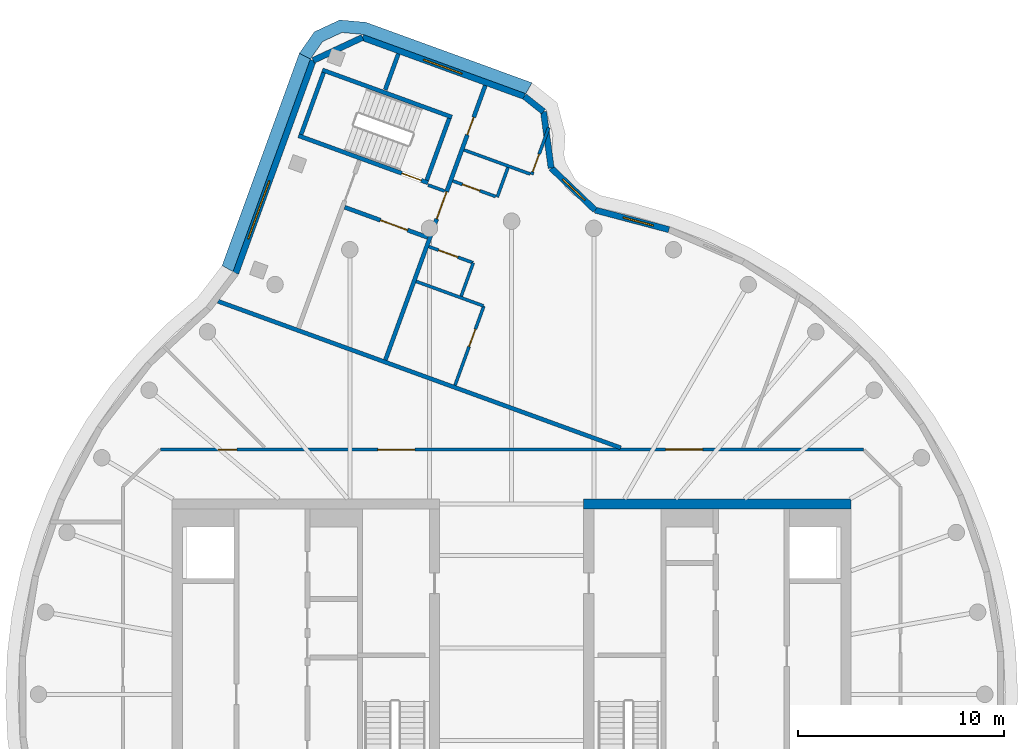
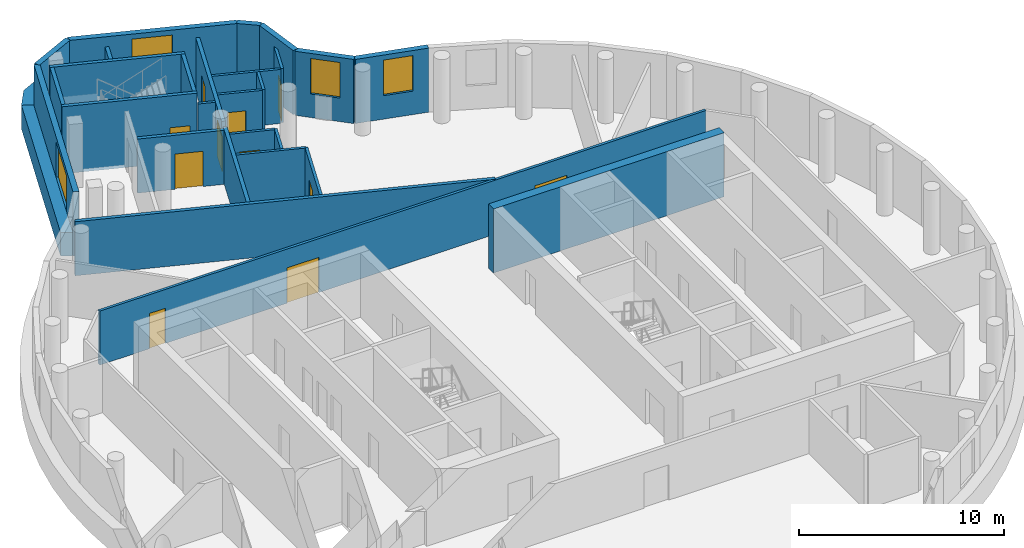
# One storey, part 5 of 7: 27 walls, 11 doors, 4 windows, 2 members, 15 openings.
"""IFC4 building model written with IfcOpenShell, lengths in metres."""

from ifc_helpers import new_model, si_unit, direction, frame, frame_2d, origin, place, context, subcontext, project, spatial, polyline, rectangle, outline, extrude, material, layer, layer_set, type_object, element, fill, aggregate, save


model = new_model("IFC4")

# Units and contexts
model_context = context("Model", 3, precision=1e-05, world=origin(), true_north=direction((0.0, 1.0)))
body_context = subcontext(model_context, "Body", "Model", "MODEL_VIEW")
ifc_project = project(units=[si_unit("LENGTHUNIT", "METRE"), si_unit("AREAUNIT", "SQUARE_METRE"), si_unit("VOLUMEUNIT", "CUBIC_METRE"), si_unit("PLANEANGLEUNIT", "RADIAN"), si_unit("MASSUNIT", "GRAM", prefix="KILO")], contexts=[model_context])

# Member
ifc_material_1 = material(Name="Aluminium and insulated spandrel panel", Category="aluminium")
member_type = type_object("IfcMemberType", Name="Floor-edge blade transom", PredefinedType="USERDEFINED", material=ifc_material_1)
site_placement = place(None, origin())
building_placement = place(site_placement, origin())
storey_placement = place(building_placement, frame((0.0, 0.0, 305.39990234375)))
member_1_placement = place(storey_placement, origin())
member_1 = element("IfcMember", 1, at=member_1_placement, type_object=member_type, Name="CWT-L75-00", ObjectType="TRANSOM", PredefinedType="USERDEFINED", context=body_context, shape_type="SweptSolid", body=[
    extrude(outline(polyline([(0.692626953125, 29.197021484375), (-7.21826171875, 32.076171875), (-8.249755859375, 32.16650390625), (-9.18798828125, 31.728759765625), (-9.78173828125, 30.880859375), (-10.318603515625, 31.16015625), (-9.587158203125, 32.20458984375), (-8.357666015625, 32.778076171875), (-7.08740234375, 32.6669921875), (0.9892578125, 29.7275390625), (0.692626953125, 29.197021484375)])), origin(), (0.0, 0.0, 1.0), 1.400146484375),
])

member_2_placement = place(storey_placement, origin())
member_2 = element("IfcMember", 2, at=member_2_placement, type_object=member_type, Name="CWT-L75-01", ObjectType="TRANSOM", PredefinedType="USERDEFINED", context=body_context, shape_type="SweptSolid", body=[
    extrude(outline(polyline([(-9.78173828125, 30.880859375), (-13.54248046875, 20.54736328125), (-14.07470703125, 20.839599609375), (-10.318603515625, 31.16015625), (-9.78173828125, 30.880859375)])), origin(), (0.0, 0.0, 1.0), 1.400146484375),
])

# Site, building, storey
site = spatial("IfcSite", under=ifc_project, at=site_placement, CompositionType="ELEMENT")
building = spatial("IfcBuilding", under=site, at=building_placement, Name="Tamarind Cross Interchange Tower", CompositionType="ELEMENT")
storey = spatial("IfcBuildingStorey", under=building, at=storey_placement, Name="L75", CompositionType="ELEMENT", Elevation=305.39990234375)

# Walls
ifc_material_2 = material(Name="Concrete C50", Category="concrete")
ifc_layer_1 = layer(ifc_material_2, 0.5)
ifc_layer_set_1 = layer_set([ifc_layer_1], Name="Concrete C50")
wall_type_1 = type_object("IfcWallType", Name="Core wall 500 mm Concrete C50", PredefinedType="SHEAR", material=ifc_layer_set_1)
wall_1_placement = place(storey_placement, frame((16.5, 9.25, 0.0), z_axis=(0.0, 0.0, 1.0), x_axis=(-1.0, 0.0, 0.0)))
element("IfcWall", 3, at=wall_1_placement, inside=storey, type_object=wall_type_1, Name="Core wall CWL-L75-E-NE", PredefinedType="SHEAR", context=body_context, shape_type="SweptSolid", body=[
    extrude(rectangle(XDim=13.0, YDim=0.5, at=frame_2d((6.5, 0.0))), origin(), (0.0, 0.0, 1.0), 3.820068359375),
])
ifc_material_3 = material(Name="Gypsum board partition on steel studs", Category="steel")
ifc_layer_2 = layer(ifc_material_3, 0.14990234375)
ifc_layer_set_2 = layer_set([ifc_layer_2], Name="Gypsum board partition on steel studs")
wall_type_2 = type_object("IfcWallType", Name="Partition 150 mm EI 120", PredefinedType="PARTITIONING", material=ifc_layer_set_2)
wall_2_placement = place(storey_placement, frame((-4.639892578125, 20.07080078125, 0.0), z_axis=(0.0, 0.0, 1.0), x_axis=(0.939625353143, -0.342204903138, 0.0)))
element("IfcWall", 4, at=wall_2_placement, inside=storey, type_object=wall_type_2, Name="Partition L75-007", PredefinedType="PARTITIONING", context=body_context, shape_type="SweptSolid", body=[
    extrude(rectangle(XDim=3.480224609375, YDim=0.14990234375, at=frame_2d((1.740234375, 0.0))), origin(), (0.0, 0.0, 1.0), 3.22021484375),
])

# Wall, opening, door
wall_3_placement = place(storey_placement, frame((-4.02392578125, 21.76171875, 0.0), z_axis=(0.0, 0.0, 1.0), x_axis=(0.939640114695, -0.342164368185, 0.0)))
wall_3 = element("IfcWall", 5, at=wall_3_placement, inside=storey, type_object=wall_type_2, Name="Partition L75-008", PredefinedType="PARTITIONING", context=body_context, shape_type="SweptSolid", body=[
    extrude(rectangle(XDim=2.27978515625, YDim=0.14990234375, at=frame_2d((1.139892578125, 0.0))), origin(), (0.0, 0.0, 1.0), 3.22021484375),
])
opening_1_placement = place(wall_3_placement, frame((0.5, 0.0, 0.0)))
opening_1 = element("IfcOpeningElement", 6, at=opening_1_placement, cuts=wall_3, Name="Opening D02", PredefinedType="OPENING", context=body_context, shape_type="SweptSolid", body=[
    extrude(rectangle(XDim=1.0, YDim=2.10009765625, at=frame_2d((0.5, 1.050048828125))), frame((0.0, 0.0849609375, 0.0), z_axis=(0.0, -1.0, 0.0), x_axis=(1.0, 0.0, 0.0)), (0.0, 0.0, 1.0), 0.169921875),
])
ifc_material_4 = material(Name="Fire-resisting door set")
door_type_1 = type_object("IfcDoorType", Name="Interior door 1000 x 2100 FD60S", OperationType="SINGLE_SWING_LEFT", PredefinedType="DOOR", material=ifc_material_4)
door_1_placement = place(opening_1_placement, frame((1.0, 0.0, 0.0), z_axis=(0.0, 0.0, 1.0), x_axis=(-1.0, 0.0, 0.0)))
door_1 = element("IfcDoor", 7, at=door_1_placement, inside=storey, type_object=door_type_1, Name="Door D02", OperationType="SINGLE_SWING_LEFT", OverallHeight=2.10009765625, OverallWidth=1.0, PredefinedType="DOOR", context=body_context, shape_type="SweptSolid", body=[
    extrude(rectangle(XDim=1.0, YDim=2.10009765625, at=frame_2d((0.5, 1.050048828125))), frame((0.0, 0.02490234375, 0.0), z_axis=(0.0, -1.0, 0.0), x_axis=(1.0, 0.0, 0.0)), (0.0, 0.0, 1.0), 0.050048828125),
])
fill(opening_1, door_1)

# Wall
wall_4_placement = place(storey_placement, frame((-4.0634765625, 24.755859375, 0.0), z_axis=(0.0, 0.0, 1.0), x_axis=(0.939710329429, -0.341971485308, 0.0)))
element("IfcWall", 8, at=wall_4_placement, inside=storey, type_object=wall_type_2, Name="Partition L75-009", PredefinedType="PARTITIONING", context=body_context, shape_type="SweptSolid", body=[
    extrude(rectangle(XDim=0.858154296875, YDim=0.14990234375, at=frame_2d((0.42919921875, 0.0))), origin(), (0.0, 0.0, 1.0), 3.22021484375),
])

# Wall, opening, door
wall_5_placement = place(storey_placement, frame((-2.861083984375, 24.956787109375, 0.0), z_axis=(0.0, 0.0, 1.0), x_axis=(0.93968419655, -0.342043287836, 0.0)))
wall_5 = element("IfcWall", 9, at=wall_5_placement, inside=storey, type_object=wall_type_2, Name="Partition L75-010", PredefinedType="PARTITIONING", context=body_context, shape_type="SweptSolid", body=[
    extrude(rectangle(XDim=2.2197265625, YDim=0.14990234375, at=frame_2d((1.10986328125, 0.0))), origin(), (0.0, 0.0, 1.0), 3.22021484375),
])
opening_2_placement = place(wall_5_placement, frame((0.5, 0.0, 0.0)))
opening_2 = element("IfcOpeningElement", 10, at=opening_2_placement, cuts=wall_5, Name="Opening D03", PredefinedType="OPENING", context=body_context, shape_type="SweptSolid", body=[
    extrude(rectangle(XDim=0.89990234375, YDim=2.10009765625, at=frame_2d((0.449951171875, 1.050048828125))), frame((0.0, 0.0849609375, 0.0), z_axis=(0.0, -1.0, 0.0), x_axis=(1.0, 0.0, 0.0)), (0.0, 0.0, 1.0), 0.169921875),
])
door_type_2 = type_object("IfcDoorType", Name="Interior door 900 x 2100 FD60S", OperationType="SINGLE_SWING_LEFT", PredefinedType="DOOR", material=ifc_material_4)
door_2_placement = place(opening_2_placement, origin())
door_2 = element("IfcDoor", 11, at=door_2_placement, inside=storey, type_object=door_type_2, Name="Door D03", OperationType="SINGLE_SWING_RIGHT", OverallHeight=2.10009765625, OverallWidth=0.89990234375, PredefinedType="DOOR", context=body_context, shape_type="SweptSolid", body=[
    extrude(rectangle(XDim=0.89990234375, YDim=2.10009765625, at=frame_2d((0.449951171875, 1.050048828125))), frame((0.0, 0.02490234375, 0.0), z_axis=(0.0, -1.0, 0.0), x_axis=(1.0, 0.0, 0.0)), (0.0, 0.0, 1.0), 0.050048828125),
])
fill(opening_2, door_2)

# Wall
wall_6_placement = place(storey_placement, frame((-2.31396484375, 26.460693359375, 0.0), z_axis=(0.0, 0.0, 1.0), x_axis=(0.939653710072, -0.342127030718, 0.0)))
element("IfcWall", 12, at=wall_6_placement, inside=storey, type_object=wall_type_2, Name="Partition L75-011", PredefinedType="PARTITIONING", context=body_context, shape_type="SweptSolid", body=[
    extrude(rectangle(XDim=3.420166015625, YDim=0.14990234375, at=frame_2d((1.7099609375, 0.0))), origin(), (0.0, 0.0, 1.0), 3.22021484375),
])

# Wall, openings, doors
wall_7_placement = place(storey_placement, frame((-17.06494140625, 11.89990234375, 0.0), z_axis=(0.0, 0.0, 1.0), x_axis=(1.0, 0.0, 0.0)))
wall_7 = element("IfcWall", 13, at=wall_7_placement, inside=storey, type_object=wall_type_2, Name="Partition L75-015", PredefinedType="PARTITIONING", context=body_context, shape_type="SweptSolid", body=[
    extrude(rectangle(XDim=34.1650390625, YDim=0.14990234375, at=frame_2d((17.08251953125, 0.0))), origin(), (0.0, 0.0, 1.0), 3.22021484375),
])
opening_3_placement = place(wall_7_placement, frame((24.5439453125, 0.0, 0.0)))
opening_3 = element("IfcOpeningElement", 14, at=opening_3_placement, cuts=wall_7, Name="Opening D08", PredefinedType="OPENING", context=body_context, shape_type="SweptSolid", body=[
    extrude(rectangle(XDim=1.800048828125, YDim=2.10009765625, at=frame_2d((0.89990234375, 1.050048828125))), frame((0.0, 0.0849609375, 0.0), z_axis=(0.0, -1.0, 0.0), x_axis=(1.0, 0.0, 0.0)), (0.0, 0.0, 1.0), 0.169921875),
])
opening_4_placement = place(wall_7_placement, frame((2.81494140625, 0.0, 0.0)))
opening_4 = element("IfcOpeningElement", 15, at=opening_4_placement, cuts=wall_7, Name="Opening D09", PredefinedType="OPENING", context=body_context, shape_type="SweptSolid", body=[
    extrude(rectangle(XDim=0.89990234375, YDim=2.10009765625, at=frame_2d((0.449951171875, 1.050048828125))), frame((0.0, 0.0849609375, 0.0), z_axis=(0.0, -1.0, 0.0), x_axis=(1.0, 0.0, 0.0)), (0.0, 0.0, 1.0), 0.169921875),
])
opening_5_placement = place(wall_7_placement, frame((10.56494140625, 0.0, 0.0)))
opening_5 = element("IfcOpeningElement", 16, at=opening_5_placement, cuts=wall_7, Name="Opening D10", PredefinedType="OPENING", context=body_context, shape_type="SweptSolid", body=[
    extrude(rectangle(XDim=1.800048828125, YDim=2.10009765625, at=frame_2d((0.89990234375, 1.050048828125))), frame((0.0, 0.0849609375, 0.0), z_axis=(0.0, -1.0, 0.0), x_axis=(1.0, 0.0, 0.0)), (0.0, 0.0, 1.0), 0.169921875),
])
door_type_3 = type_object("IfcDoorType", Name="Interior door 1800 x 2100 FD60S", OperationType="DOUBLE_DOOR_SINGLE_SWING", PredefinedType="DOOR", material=ifc_material_4)
door_3_placement = place(opening_3_placement, frame((1.800048828125, 0.0, 0.0), z_axis=(0.0, 0.0, 1.0), x_axis=(-1.0, 0.0, 0.0)))
door_3 = element("IfcDoor", 17, at=door_3_placement, inside=storey, type_object=door_type_3, Name="Door D08", OperationType="DOUBLE_DOOR_SINGLE_SWING", OverallHeight=2.10009765625, OverallWidth=1.800048828125, PredefinedType="DOOR", context=body_context, shape_type="SweptSolid", body=[
    extrude(rectangle(XDim=1.800048828125, YDim=2.10009765625, at=frame_2d((0.89990234375, 1.050048828125))), frame((0.0, 0.02490234375, 0.0), z_axis=(0.0, -1.0, 0.0), x_axis=(1.0, 0.0, 0.0)), (0.0, 0.0, 1.0), 0.050048828125),
])
fill(opening_3, door_3)
door_4_placement = place(opening_5_placement, origin())
door_4 = element("IfcDoor", 18, at=door_4_placement, inside=storey, type_object=door_type_3, Name="Door D10", OperationType="DOUBLE_DOOR_SINGLE_SWING", OverallHeight=2.10009765625, OverallWidth=1.800048828125, PredefinedType="DOOR", context=body_context, shape_type="SweptSolid", body=[
    extrude(rectangle(XDim=1.800048828125, YDim=2.10009765625, at=frame_2d((0.89990234375, 1.050048828125))), frame((0.0, 0.02490234375, 0.0), z_axis=(0.0, -1.0, 0.0), x_axis=(1.0, 0.0, 0.0)), (0.0, 0.0, 1.0), 0.050048828125),
])
fill(opening_5, door_4)
door_5_placement = place(opening_4_placement, origin())
door_5 = element("IfcDoor", 19, at=door_5_placement, inside=storey, type_object=door_type_2, Name="Door D09", OperationType="SINGLE_SWING_RIGHT", OverallHeight=2.10009765625, OverallWidth=0.89990234375, PredefinedType="DOOR", context=body_context, shape_type="SweptSolid", body=[
    extrude(rectangle(XDim=0.89990234375, YDim=2.10009765625, at=frame_2d((0.449951171875, 1.050048828125))), frame((0.0, 0.02490234375, 0.0), z_axis=(0.0, -1.0, 0.0), x_axis=(1.0, 0.0, 0.0)), (0.0, 0.0, 1.0), 0.050048828125),
])
fill(opening_4, door_5)

# Wall, opening, door
wall_8_placement = place(storey_placement, frame((-2.752685546875, 15.02099609375, 0.0), z_axis=(0.0, 0.0, 1.0), x_axis=(0.341929559358, 0.939725585709, 0.0)))
wall_8 = element("IfcWall", 20, at=wall_8_placement, inside=storey, type_object=wall_type_2, Name="Partition L75-027", PredefinedType="PARTITIONING", context=body_context, shape_type="SweptSolid", body=[
    extrude(rectangle(XDim=4.09912109375, YDim=0.14990234375, at=frame_2d((2.049560546875, 0.0))), origin(), (0.0, 0.0, 1.0), 3.22021484375),
])
opening_6_placement = place(wall_8_placement, frame((2.0, 0.0, 0.0)))
opening_6 = element("IfcOpeningElement", 21, at=opening_6_placement, cuts=wall_8, Name="Opening D14", PredefinedType="OPENING", context=body_context, shape_type="SweptSolid", body=[
    extrude(rectangle(XDim=0.89990234375, YDim=2.10009765625, at=frame_2d((0.449951171875, 1.050048828125))), frame((0.0, 0.0849609375, 0.0), z_axis=(0.0, -1.0, 0.0), x_axis=(1.0, 0.0, 0.0)), (0.0, 0.0, 1.0), 0.169921875),
])
door_6_placement = place(opening_6_placement, origin())
door_6 = element("IfcDoor", 22, at=door_6_placement, inside=storey, type_object=door_type_2, Name="Door D14", OperationType="SINGLE_SWING_LEFT", OverallHeight=2.10009765625, OverallWidth=0.89990234375, PredefinedType="DOOR", context=body_context, shape_type="SweptSolid", body=[
    extrude(rectangle(XDim=0.89990234375, YDim=2.10009765625, at=frame_2d((0.449951171875, 1.050048828125))), frame((0.0, 0.02490234375, 0.0), z_axis=(0.0, -1.0, 0.0), x_axis=(1.0, 0.0, 0.0)), (0.0, 0.0, 1.0), 0.050048828125),
])
fill(opening_6, door_6)

wall_9_placement = place(storey_placement, frame((0.974609375, 25.26318359375, 0.0), z_axis=(0.0, 0.0, 1.0), x_axis=(0.341863980667, 0.939749444652, 0.0)))
wall_9 = element("IfcWall", 23, at=wall_9_placement, inside=storey, type_object=wall_type_2, Name="Partition L75-028", PredefinedType="PARTITIONING", context=body_context, shape_type="SweptSolid", body=[
    extrude(rectangle(XDim=2.431640625, YDim=0.14990234375, at=frame_2d((1.2158203125, 0.0))), origin(), (0.0, 0.0, 1.0), 3.22021484375),
])
opening_7_placement = place(wall_9_placement, frame((0.14990234375, 0.0, 0.0)))
opening_7 = element("IfcOpeningElement", 24, at=opening_7_placement, cuts=wall_9, Name="Opening D15", PredefinedType="OPENING", context=body_context, shape_type="SweptSolid", body=[
    extrude(rectangle(XDim=0.89990234375, YDim=2.10009765625, at=frame_2d((0.449951171875, 1.050048828125))), frame((0.0, 0.0849609375, 0.0), z_axis=(0.0, -1.0, 0.0), x_axis=(1.0, 0.0, 0.0)), (0.0, 0.0, 1.0), 0.169921875),
])
door_7_placement = place(opening_7_placement, origin())
door_7 = element("IfcDoor", 25, at=door_7_placement, inside=storey, type_object=door_type_2, Name="Door D15", OperationType="SINGLE_SWING_RIGHT", OverallHeight=2.10009765625, OverallWidth=0.89990234375, PredefinedType="DOOR", context=body_context, shape_type="SweptSolid", body=[
    extrude(rectangle(XDim=0.89990234375, YDim=2.10009765625, at=frame_2d((0.449951171875, 1.050048828125))), frame((0.0, 0.02490234375, 0.0), z_axis=(0.0, -1.0, 0.0), x_axis=(1.0, 0.0, 0.0)), (0.0, 0.0, 1.0), 0.050048828125),
])
fill(opening_7, door_7)

# Walls
wall_10_placement = place(storey_placement, frame((-2.452392578125, 19.3544921875, 0.0), z_axis=(0.0, 0.0, 1.0), x_axis=(0.341765797908, 0.939785155969, 0.0)))
element("IfcWall", 26, at=wall_10_placement, inside=storey, type_object=wall_type_2, Name="Partition L75-029", PredefinedType="PARTITIONING", context=body_context, shape_type="SweptSolid", body=[
    extrude(rectangle(XDim=1.724365234375, YDim=0.14990234375, at=frame_2d((0.8623046875, 0.0))), origin(), (0.0, 0.0, 1.0), 3.22021484375),
])
wall_11_placement = place(storey_placement, frame((-0.700927734375, 24.17041015625, 0.0), z_axis=(0.0, 0.0, 1.0), x_axis=(0.341897280994, 0.939737329922, 0.0)))
element("IfcWall", 27, at=wall_11_placement, inside=storey, type_object=wall_type_2, Name="Partition L75-030", PredefinedType="PARTITIONING", context=body_context, shape_type="SweptSolid", body=[
    extrude(rectangle(XDim=1.525146484375, YDim=0.14990234375, at=frame_2d((0.7626953125, 0.0))), origin(), (0.0, 0.0, 1.0), 3.22021484375),
])
ifc_layer_3 = layer(ifc_material_3, 0.199951171875)
ifc_layer_set_3 = layer_set([ifc_layer_3], Name="Gypsum board partition on steel studs")
wall_type_3 = type_object("IfcWallType", Name="Partition 200 mm EI 180", PredefinedType="PARTITIONING", material=ifc_layer_set_3)
wall_12_placement = place(storey_placement, frame((-14.27099609375, 19.105712890625, 0.0), z_axis=(0.0, 0.0, 1.0), x_axis=(0.939707843555, -0.341978316216, 0.0)))
element("IfcWall", 28, at=wall_12_placement, inside=storey, type_object=wall_type_3, Name="Partition L75-005", PredefinedType="PARTITIONING", context=body_context, shape_type="SweptSolid", body=[
    extrude(rectangle(XDim=20.830322265625, YDim=0.199951171875, at=frame_2d((10.4150390625, 0.0))), origin(), (0.0, 0.0, 1.0), 3.22021484375),
])

# Wall, opening, door
wall_13_placement = place(storey_placement, frame((-8.115966796875, 23.6767578125, 0.0), z_axis=(0.0, 0.0, 1.0), x_axis=(0.939720382498, -0.341943859016, 0.0)))
wall_13 = element("IfcWall", 29, at=wall_13_placement, inside=storey, type_object=wall_type_3, Name="Partition L75-006", PredefinedType="PARTITIONING", context=body_context, shape_type="SweptSolid", body=[
    extrude(rectangle(XDim=4.29541015625, YDim=0.199951171875, at=frame_2d((2.147705078125, 0.0))), origin(), (0.0, 0.0, 1.0), 3.22021484375),
])
opening_8_placement = place(wall_13_placement, frame((1.85009765625, 0.0, 0.0)))
opening_8 = element("IfcOpeningElement", 30, at=opening_8_placement, cuts=wall_13, Name="Opening D01", PredefinedType="OPENING", context=body_context, shape_type="SweptSolid", body=[
    extrude(rectangle(XDim=1.39990234375, YDim=2.10009765625, at=frame_2d((0.699951171875, 1.050048828125))), frame((0.0, 0.10986328125, 0.0), z_axis=(0.0, -1.0, 0.0), x_axis=(1.0, 0.0, 0.0)), (0.0, 0.0, 1.0), 0.219970703125),
])
door_type_4 = type_object("IfcDoorType", Name="Interior door 1400 x 2100 FD120S", OperationType="DOUBLE_DOOR_SINGLE_SWING", PredefinedType="DOOR", material=ifc_material_4)
door_8_placement = place(opening_8_placement, frame((1.39990234375, 0.0, 0.0), z_axis=(0.0, 0.0, 1.0), x_axis=(-1.0, 0.0, 0.0)))
door_8 = element("IfcDoor", 31, at=door_8_placement, inside=storey, type_object=door_type_4, Name="Door D01", OperationType="DOUBLE_DOOR_SINGLE_SWING", OverallHeight=2.10009765625, OverallWidth=1.39990234375, PredefinedType="DOOR", context=body_context, shape_type="SweptSolid", body=[
    extrude(rectangle(XDim=1.39990234375, YDim=2.10009765625, at=frame_2d((0.699951171875, 1.050048828125))), frame((0.0, 0.02490234375, 0.0), z_axis=(0.0, -1.0, 0.0), x_axis=(1.0, 0.0, 0.0)), (0.0, 0.0, 1.0), 0.050048828125),
])
fill(opening_8, door_8)

# Walls
wall_14_placement = place(storey_placement, frame((-6.14404296875, 29.38720703125, 0.0), z_axis=(0.0, 0.0, 1.0), x_axis=(0.342080568825, 0.939670625502, 0.0)))
element("IfcWall", 32, at=wall_14_placement, inside=storey, type_object=wall_type_3, Name="Partition L75-024", PredefinedType="PARTITIONING", context=body_context, shape_type="SweptSolid", body=[
    extrude(rectangle(XDim=1.8583984375, YDim=0.199951171875, at=frame_2d((0.92919921875, 0.0))), origin(), (0.0, 0.0, 1.0), 3.22021484375),
])
wall_15_placement = place(storey_placement, frame((-6.1357421875, 16.251953125, 0.0), z_axis=(0.0, 0.0, 1.0), x_axis=(0.341890434998, 0.939739820619, 0.0)))
element("IfcWall", 33, at=wall_15_placement, inside=storey, type_object=wall_type_3, Name="Partition L75-025", PredefinedType="PARTITIONING", context=body_context, shape_type="SweptSolid", body=[
    extrude(rectangle(XDim=6.517578125, YDim=0.199951171875, at=frame_2d((3.2587890625, 0.0))), origin(), (0.0, 0.0, 1.0), 3.22021484375),
])

# Wall, openings, doors
wall_16_placement = place(storey_placement, frame((-3.753662109375, 22.799560546875, 0.0), z_axis=(0.0, 0.0, 1.0), x_axis=(0.341897570455, 0.93973722461, 0.0)))
wall_16 = element("IfcWall", 34, at=wall_16_placement, inside=storey, type_object=wall_type_3, Name="Partition L75-026", PredefinedType="PARTITIONING", context=body_context, shape_type="SweptSolid", body=[
    extrude(rectangle(XDim=7.2314453125, YDim=0.199951171875, at=frame_2d((3.61572265625, 0.0))), origin(), (0.0, 0.0, 1.0), 3.22021484375),
])
opening_9_placement = place(wall_16_placement, frame((0.332275390625, 0.0, 0.0)))
opening_9 = element("IfcOpeningElement", 35, at=opening_9_placement, cuts=wall_16, Name="Opening D12", PredefinedType="OPENING", context=body_context, shape_type="SweptSolid", body=[
    extrude(rectangle(XDim=1.39990234375, YDim=2.10009765625, at=frame_2d((0.699951171875, 1.050048828125))), frame((0.0, 0.10986328125, 0.0), z_axis=(0.0, -1.0, 0.0), x_axis=(1.0, 0.0, 0.0)), (0.0, 0.0, 1.0), 0.219970703125),
])
opening_10_placement = place(wall_16_placement, frame((4.6826171875, 0.0, 0.0)))
opening_10 = element("IfcOpeningElement", 36, at=opening_10_placement, cuts=wall_16, Name="Opening D13", PredefinedType="OPENING", context=body_context, shape_type="SweptSolid", body=[
    extrude(rectangle(XDim=0.89990234375, YDim=2.10009765625, at=frame_2d((0.449951171875, 1.050048828125))), frame((0.0, 0.10986328125, 0.0), z_axis=(0.0, -1.0, 0.0), x_axis=(1.0, 0.0, 0.0)), (0.0, 0.0, 1.0), 0.219970703125),
])
door_9_placement = place(opening_9_placement, frame((1.39990234375, 0.0, 0.0), z_axis=(0.0, 0.0, 1.0), x_axis=(-1.0, 0.0, 0.0)))
door_9 = element("IfcDoor", 37, at=door_9_placement, inside=storey, type_object=door_type_4, Name="Door D12", OperationType="DOUBLE_DOOR_SINGLE_SWING", OverallHeight=2.10009765625, OverallWidth=1.39990234375, PredefinedType="DOOR", context=body_context, shape_type="SweptSolid", body=[
    extrude(rectangle(XDim=1.39990234375, YDim=2.10009765625, at=frame_2d((0.699951171875, 1.050048828125))), frame((0.0, 0.02490234375, 0.0), z_axis=(0.0, -1.0, 0.0), x_axis=(1.0, 0.0, 0.0)), (0.0, 0.0, 1.0), 0.050048828125),
])
fill(opening_9, door_9)
door_type_5 = type_object("IfcDoorType", Name="Interior door 900 x 2100 FD120S", OperationType="SINGLE_SWING_LEFT", PredefinedType="DOOR", material=ifc_material_4)
door_10_placement = place(opening_10_placement, origin())
door_10 = element("IfcDoor", 38, at=door_10_placement, inside=storey, type_object=door_type_5, Name="Door D13", OperationType="SINGLE_SWING_LEFT", OverallHeight=2.10009765625, OverallWidth=0.89990234375, PredefinedType="DOOR", context=body_context, shape_type="SweptSolid", body=[
    extrude(rectangle(XDim=0.89990234375, YDim=2.10009765625, at=frame_2d((0.449951171875, 1.050048828125))), frame((0.0, 0.02490234375, 0.0), z_axis=(0.0, -1.0, 0.0), x_axis=(1.0, 0.0, 0.0)), (0.0, 0.0, 1.0), 0.050048828125),
])
fill(opening_10, door_10)

# Wall, opening, window
ifc_material_5 = material(Name="Precast concrete C40", Category="concrete")
ifc_layer_4 = layer(ifc_material_5, 0.300048828125)
ifc_layer_set_4 = layer_set([ifc_layer_4], Name="Precast concrete C40")
wall_type_4 = type_object("IfcWallType", Name="Plant louvre wall", PredefinedType="SOLIDWALL", material=ifc_layer_set_4)
wall_17_placement = place(storey_placement, frame((0.61865234375, 29.064453125, 0.0), z_axis=(0.0, 0.0, 1.0), x_axis=(-0.93970742794, 0.341979458265, 0.0)))
wall_17 = element("IfcWall", 39, at=wall_17_placement, inside=storey, type_object=wall_type_4, Name="EXW-L75-00-00", PredefinedType="SOLIDWALL", context=body_context, shape_type="SweptSolid", body=[
    extrude(rectangle(XDim=8.374755859375, YDim=0.300048828125, at=frame_2d((4.1875, 0.0))), origin(), (0.0, 0.0, 1.0), 3.820068359375),
])
opening_11_placement = place(wall_17_placement, frame((3.216796875, 0.0, 1.39990234375)))
opening_11 = element("IfcOpeningElement", 40, at=opening_11_placement, cuts=wall_17, Name="Opening W2", PredefinedType="OPENING", context=body_context, shape_type="SweptSolid", body=[
    extrude(rectangle(XDim=1.998291015625, YDim=2.1201171875, at=frame_2d((0.9990234375, 1.06005859375))), frame((0.0, 0.159912109375, 0.0), z_axis=(0.0, -1.0, 0.0), x_axis=(1.0, 0.0, 0.0)), (0.0, 0.0, 1.0), 0.320068359375),
])
ifc_material_6 = material(Name="Aluminium louvre", Category="aluminium")
window_type = type_object("IfcWindowType", Name="Plant louvre bank", PartitioningType="SINGLE_PANEL", PredefinedType="WINDOW", material=ifc_material_6)
window_1_placement = place(opening_11_placement, origin())
window_1 = element("IfcWindow", 41, at=window_1_placement, inside=storey, type_object=window_type, Name="WIN-L75-00-00", OverallHeight=2.1201171875, OverallWidth=1.998291015625, PartitioningType="SINGLE_PANEL", PredefinedType="WINDOW", context=body_context, shape_type="SweptSolid", body=[
    extrude(rectangle(XDim=1.998291015625, YDim=2.1201171875, at=frame_2d((0.9990234375, 1.06005859375))), frame((0.0, 0.030029296875, 0.0), z_axis=(0.0, -1.0, 0.0), x_axis=(1.0, 0.0, 0.0)), (0.0, 0.0, 1.0), 0.06005859375),
])
fill(opening_11, window_1)

aggregate(wall_17, [member_1])

# Wall
wall_18_placement = place(storey_placement, frame((-7.251220703125, 31.928466796875, 0.0), z_axis=(0.0, 0.0, 1.0), x_axis=(-0.906301055213, -0.422632697882, 0.0)))
element("IfcWall", 42, at=wall_18_placement, inside=storey, type_object=wall_type_4, Name="EXW-L75-00-01", PredefinedType="SOLIDWALL", context=body_context, shape_type="SweptSolid", body=[
    extrude(rectangle(XDim=2.64404296875, YDim=0.300048828125, at=frame_2d((1.322021484375, 0.0))), origin(), (0.0, 0.0, 1.0), 3.820068359375),
])

# Wall, opening, window
wall_19_placement = place(storey_placement, frame((-9.6474609375, 30.81103515625, 0.0), z_axis=(0.0, 0.0, 1.0), x_axis=(-0.341997884375, -0.939700722083, 0.0)))
wall_19 = element("IfcWall", 43, at=wall_19_placement, inside=storey, type_object=wall_type_4, Name="EXW-L75-01-00", PredefinedType="SOLIDWALL", context=body_context, shape_type="SweptSolid", body=[
    extrude(rectangle(XDim=11.0, YDim=0.300048828125, at=frame_2d((5.5, 0.0))), origin(), (0.0, 0.0, 1.0), 3.820068359375),
])
opening_12_placement = place(wall_19_placement, frame((6.230224609375, 0.0, 1.39990234375)))
opening_12 = element("IfcOpeningElement", 44, at=opening_12_placement, cuts=wall_19, Name="Opening W2", PredefinedType="OPENING", context=body_context, shape_type="SweptSolid", body=[
    extrude(rectangle(XDim=3.0, YDim=2.1201171875, at=frame_2d((1.5, 1.06005859375))), frame((0.0, 0.159912109375, 0.0), z_axis=(0.0, -1.0, 0.0), x_axis=(1.0, 0.0, 0.0)), (0.0, 0.0, 1.0), 0.320068359375),
])
window_2_placement = place(opening_12_placement, origin())
window_2 = element("IfcWindow", 45, at=window_2_placement, inside=storey, type_object=window_type, Name="WIN-L75-01-00", OverallHeight=2.1201171875, OverallWidth=3.0, PartitioningType="SINGLE_PANEL", PredefinedType="WINDOW", context=body_context, shape_type="SweptSolid", body=[
    extrude(rectangle(XDim=3.0, YDim=2.1201171875, at=frame_2d((1.5, 1.06005859375))), frame((0.0, 0.030029296875, 0.0), z_axis=(0.0, -1.0, 0.0), x_axis=(1.0, 0.0, 0.0)), (0.0, 0.0, 1.0), 0.06005859375),
])
fill(opening_12, window_2)

aggregate(wall_19, [member_2])

wall_20_placement = place(storey_placement, frame((7.6455078125, 22.5869140625, 0.0), z_axis=(0.0, 0.0, 1.0), x_axis=(-0.96658946477, 0.256329488347, 0.0)))
wall_20 = element("IfcWall", 46, at=wall_20_placement, inside=storey, type_object=wall_type_4, Name="EXW-L75-02-33", PredefinedType="SOLIDWALL", context=body_context, shape_type="SweptSolid", body=[
    extrude(rectangle(XDim=3.716552734375, YDim=0.300048828125, at=frame_2d((1.8583984375, 0.0))), origin(), (0.0, 0.0, 1.0), 3.820068359375),
])
opening_13_placement = place(wall_20_placement, frame((0.786865234375, 0.0, 1.39990234375)))
opening_13 = element("IfcOpeningElement", 47, at=opening_13_placement, cuts=wall_20, Name="Opening W2", PredefinedType="OPENING", context=body_context, shape_type="SweptSolid", body=[
    extrude(rectangle(XDim=1.509033203125, YDim=2.1201171875, at=frame_2d((0.75439453125, 1.06005859375))), frame((0.0, 0.159912109375, 0.0), z_axis=(0.0, -1.0, 0.0), x_axis=(1.0, 0.0, 0.0)), (0.0, 0.0, 1.0), 0.320068359375),
])
window_3_placement = place(opening_13_placement, origin())
window_3 = element("IfcWindow", 48, at=window_3_placement, inside=storey, type_object=window_type, Name="WIN-L75-02-33", OverallHeight=2.1201171875, OverallWidth=1.509033203125, PartitioningType="SINGLE_PANEL", PredefinedType="WINDOW", context=body_context, shape_type="SweptSolid", body=[
    extrude(rectangle(XDim=1.509033203125, YDim=2.1201171875, at=frame_2d((0.75439453125, 1.06005859375))), frame((0.0, 0.030029296875, 0.0), z_axis=(0.0, -1.0, 0.0), x_axis=(1.0, 0.0, 0.0)), (0.0, 0.0, 1.0), 0.06005859375),
])
fill(opening_13, window_3)

wall_21_placement = place(storey_placement, frame((4.05322265625, 23.53955078125, 0.0), z_axis=(0.0, 0.0, 1.0), x_axis=(-0.721986485098, 0.691907158032, 0.0)))
wall_21 = element("IfcWall", 49, at=wall_21_placement, inside=storey, type_object=wall_type_4, Name="EXW-L75-02-34", PredefinedType="SOLIDWALL", context=body_context, shape_type="SweptSolid", body=[
    extrude(rectangle(XDim=2.954345703125, YDim=0.300048828125, at=frame_2d((1.47705078125, 0.0))), origin(), (0.0, 0.0, 1.0), 3.820068359375),
])
opening_14_placement = place(wall_21_placement, frame((0.677734375, 0.0, 1.39990234375)))
opening_14 = element("IfcOpeningElement", 50, at=opening_14_placement, cuts=wall_21, Name="Opening W2", PredefinedType="OPENING", context=body_context, shape_type="SweptSolid", body=[
    extrude(rectangle(XDim=1.487548828125, YDim=2.1201171875, at=frame_2d((0.74365234375, 1.06005859375))), frame((0.0, 0.159912109375, 0.0), z_axis=(0.0, -1.0, 0.0), x_axis=(1.0, 0.0, 0.0)), (0.0, 0.0, 1.0), 0.320068359375),
])
window_4_placement = place(opening_14_placement, origin())
window_4 = element("IfcWindow", 51, at=window_4_placement, inside=storey, type_object=window_type, Name="WIN-L75-02-34", OverallHeight=2.1201171875, OverallWidth=1.487548828125, PartitioningType="SINGLE_PANEL", PredefinedType="WINDOW", context=body_context, shape_type="SweptSolid", body=[
    extrude(rectangle(XDim=1.487548828125, YDim=2.1201171875, at=frame_2d((0.74365234375, 1.06005859375))), frame((0.0, 0.030029296875, 0.0), z_axis=(0.0, -1.0, 0.0), x_axis=(1.0, 0.0, 0.0)), (0.0, 0.0, 1.0), 0.06005859375),
])
fill(opening_14, window_4)

# Walls
wall_22_placement = place(storey_placement, frame((1.920166015625, 25.583740234375, 0.0), z_axis=(0.0, 0.0, 1.0), x_axis=(-0.133683682647, 0.991024052682, 0.0)))
element("IfcWall", 52, at=wall_22_placement, inside=storey, type_object=wall_type_4, Name="EXW-L75-02-35", PredefinedType="SOLIDWALL", context=body_context, shape_type="SweptSolid", body=[
    extrude(rectangle(XDim=2.766845703125, YDim=0.300048828125, at=frame_2d((1.38330078125, 0.0))), origin(), (0.0, 0.0, 1.0), 3.820068359375),
])
wall_23_placement = place(storey_placement, frame((1.55029296875, 28.32568359375, 0.0), z_axis=(0.0, 0.0, 1.0), x_axis=(-0.78354593718, 0.621333858991, 0.0)))
element("IfcWall", 53, at=wall_23_placement, inside=storey, type_object=wall_type_4, Name="EXW-L75-02-36", PredefinedType="SOLIDWALL", context=body_context, shape_type="SweptSolid", body=[
    extrude(rectangle(XDim=1.18896484375, YDim=0.300048828125, at=frame_2d((0.594482421875, 0.0))), origin(), (0.0, 0.0, 1.0), 3.820068359375),
])

# Wall, opening, door
ifc_material_7 = material(Name="Concrete C40", Category="concrete")
ifc_layer_5 = layer(ifc_material_7, 0.199951171875)
ifc_layer_set_5 = layer_set([ifc_layer_5], Name="Concrete C40")
wall_type_5 = type_object("IfcWallType", Name="Stair shaft wall 200 mm Concrete C40", PredefinedType="SHEAR", material=ifc_layer_set_5)
wall_24_placement = place(storey_placement, frame((-4.06591796875, 24.86328125, -0.179931640625), z_axis=(0.0, 0.0, 1.0), x_axis=(-0.939709347419, 0.341974183781, 0.0)))
wall_24 = element("IfcWall", 54, at=wall_24_placement, inside=storey, type_object=wall_type_5, Name="Core wall CWL-L75-ST4-H", PredefinedType="SHEAR", context=body_context, shape_type="SweptSolid", body=[
    extrude(rectangle(XDim=6.7001953125, YDim=0.199951171875, at=frame_2d((3.35009765625, 0.0))), origin(), (0.0, 0.0, 1.0), 4.0),
])
opening_15_placement = place(wall_24_placement, frame((0.35009765625, 0.0, 0.0)))
opening_15 = element("IfcOpeningElement", 55, at=opening_15_placement, cuts=wall_24, Name="Opening ST4L75", PredefinedType="OPENING", context=body_context, shape_type="SweptSolid", body=[
    extrude(rectangle(XDim=1.0, YDim=2.10009765625, at=frame_2d((0.5, 1.050048828125))), frame((0.0, 0.10986328125, 0.0), z_axis=(0.0, -1.0, 0.0), x_axis=(1.0, 0.0, 0.0)), (0.0, 0.0, 1.0), 0.219970703125),
])
ifc_material_8 = material(Name="Steel, fire-resisting", Category="steel")
door_type_6 = type_object("IfcDoorType", Name="Core fire door 1000 x 2100 FD90", OperationType="SINGLE_SWING_LEFT", PredefinedType="DOOR", material=ifc_material_8)
door_11_placement = place(opening_15_placement, origin())
door_11 = element("IfcDoor", 56, at=door_11_placement, inside=storey, type_object=door_type_6, Name="L75 stair door ST4", OperationType="SINGLE_SWING_LEFT", OverallHeight=2.10009765625, OverallWidth=1.0, PredefinedType="DOOR", context=body_context, shape_type="SweptSolid", body=[
    extrude(rectangle(XDim=1.0, YDim=2.10009765625, at=frame_2d((0.5, 1.050048828125))), frame((0.0, 0.02490234375, 0.0), z_axis=(0.0, -1.0, 0.0), x_axis=(1.0, 0.0, 0.0)), (0.0, 0.0, 1.0), 0.050048828125),
])
fill(opening_15, door_11)

# Walls
wall_25_placement = place(storey_placement, frame((-2.9033203125, 28.05810546875, -0.179931640625), z_axis=(0.0, 0.0, 1.0), x_axis=(-0.939693375008, 0.342018071111, 0.0)))
element("IfcWall", 57, at=wall_25_placement, inside=storey, type_object=wall_type_5, Name="Core wall CWL-L75-ST4-C", PredefinedType="SHEAR", context=body_context, shape_type="SweptSolid", body=[
    extrude(rectangle(XDim=6.699951171875, YDim=0.199951171875, at=frame_2d((3.35009765625, 0.0))), origin(), (0.0, 0.0, 1.0), 4.0),
])
wall_26_placement = place(storey_placement, frame((-3.031494140625, 27.998291015625, -0.179931640625), z_axis=(0.0, 0.0, 1.0), x_axis=(-0.341975850632, -0.939708740826, 0.0)))
element("IfcWall", 58, at=wall_26_placement, inside=storey, type_object=wall_type_5, Name="Core wall CWL-L75-ST4-CE", PredefinedType="SHEAR", context=body_context, shape_type="SweptSolid", body=[
    extrude(rectangle(XDim=3.19970703125, YDim=0.199951171875, at=frame_2d((1.599853515625, 0.0))), origin(), (0.0, 0.0, 1.0), 4.0),
])
wall_27_placement = place(storey_placement, frame((0.0, 0.0, -0.179931640625)))
element("IfcWall", 59, at=wall_27_placement, inside=storey, type_object=wall_type_5, Name="Core wall CWL-L75-ST4-CF", PredefinedType="SHEAR", context=body_context, shape_type="SweptSolid", body=[
    extrude(outline(polyline([(-9.04541015625, 30.187255859375), (-9.2333984375, 30.255615234375), (-10.327880859375, 27.24853515625), (-10.139892578125, 27.18017578125), (-9.04541015625, 30.187255859375)])), origin(), (0.0, 0.0, 1.0), 4.0),
])

save(model, "model.ifc")
